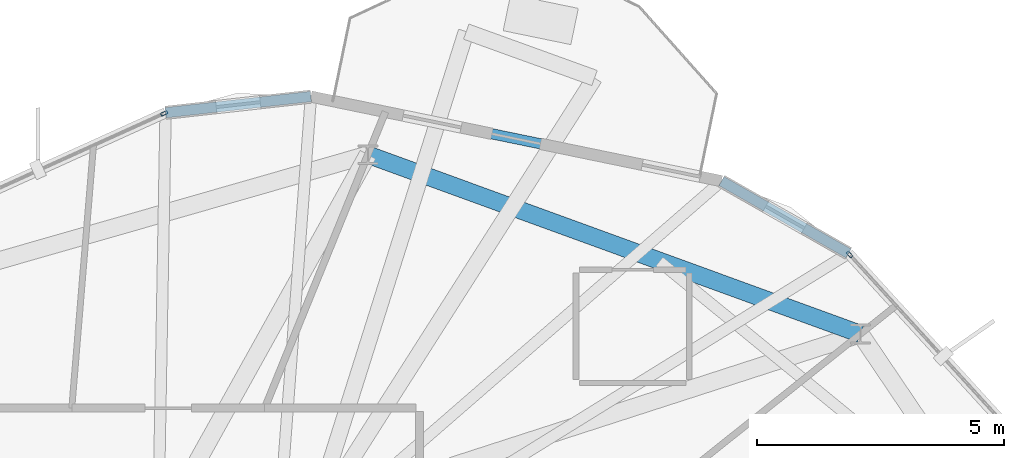
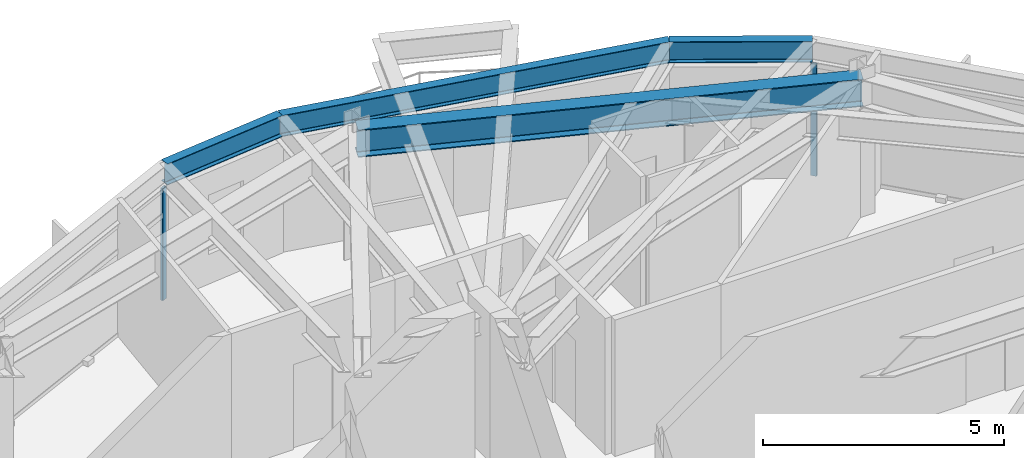
# One storey, part 15 of 23: 4 beams, 2 members, 2 elements without a shape of their own.
"""IFC4 building model written with IfcOpenShell, lengths in metres."""

from ifc_helpers import new_model, si_unit, direction, frame, origin, origin_2d, place, context, subcontext, project, spatial, hollow_rectangle, i_section, extrude, material, layer, layer_set, material_profile, profile_set, type_object, element, aggregate, save


model = new_model("IFC4")

# Units and contexts
model_context = context("Model", 3, precision=1e-05, world=origin(), true_north=direction((0.0, 1.0)))
body_context = subcontext(model_context, "Body", "Model", "MODEL_VIEW")
ifc_project = project(units=[si_unit("LENGTHUNIT", "METRE"), si_unit("AREAUNIT", "SQUARE_METRE"), si_unit("VOLUMEUNIT", "CUBIC_METRE"), si_unit("PLANEANGLEUNIT", "RADIAN"), si_unit("MASSUNIT", "GRAM", prefix="KILO")], contexts=[model_context])

# Site, building, storey
site_placement = place(None, origin())
site = spatial("IfcSite", under=ifc_project, at=site_placement, CompositionType="ELEMENT")
building_placement = place(site_placement, origin())
building = spatial("IfcBuilding", under=site, at=building_placement, Name="Soratama Intermodal Tower", CompositionType="ELEMENT")
storey_placement = place(building_placement, frame((0.0, 0.0, 257.5)))
storey = spatial("IfcBuildingStorey", under=building, at=storey_placement, Name="L65", CompositionType="ELEMENT", Elevation=257.5)

# Beams
ifc_material_1 = material(Name="Structural steel ASTM A992 Grade 50", Category="steel")
ifc_material_profile_1 = material_profile(ifc_material_1, i_section(OverallWidth=0.35498046875, OverallDepth=0.695068359375, WebThickness=0.015380859375, FlangeThickness=0.02490234375, FilletRadius=0.01611328125, at=origin_2d()), Name="W27X146")
ifc_profile_set_1 = profile_set([ifc_material_profile_1], Name="Structural steel ASTM A992 Grade 50")
beam_type_1 = type_object("IfcBeamType", Name="BM-RING-W27X146", PredefinedType="BEAM", material=ifc_profile_set_1)
beam_1_placement = place(storey_placement, frame((55.589111328125, 38.553955078125, 3.1025390625), z_axis=(-0.939684073866, 0.342043624883, 0.0), x_axis=(-0.342043624883, -0.939684073866, 0.0)))
element("IfcBeam", 1, at=beam_1_placement, inside=storey, type_object=beam_type_1, Name="BM-L65-RING-02", PredefinedType="BEAM", context=body_context, shape_type="SweptSolid", body=[
    extrude(i_section(OverallWidth=0.35498046875, OverallDepth=0.695068359375, WebThickness=0.015380859375, FlangeThickness=0.02490234375, FilletRadius=0.01611328125, at=origin_2d()), origin(), (0.0, 0.0, 1.0), 10.630126953125),
])
ifc_material_2 = material(Name="Structural steel ASTM A992 Grade 50", Category="steel")
ifc_material_profile_2 = material_profile(ifc_material_2, i_section(OverallWidth=0.2099609375, OverallDepth=0.537109375, WebThickness=0.010986328125, FlangeThickness=0.017333984375, FilletRadius=0.012939453125, at=origin_2d()), Name="W21X68")
ifc_profile_set_2 = profile_set([ifc_material_profile_2], Name="Structural steel ASTM A992 Grade 50")
beam_type_2 = type_object("IfcBeamType", Name="BM-SPN-W21X68", PredefinedType="SPANDREL", material=ifc_profile_set_2)
beam_2_placement = place(storey_placement, frame((52.77001953125, 41.655029296875, 3.181396484375), z_axis=(-0.979430838522, 0.201780158967, 0.0), x_axis=(-0.201780158967, -0.979430838522, 0.0)))
element("IfcBeam", 2, at=beam_2_placement, inside=storey, type_object=beam_type_2, Name="BS-L65-F01", PredefinedType="SPANDREL", context=body_context, shape_type="SweptSolid", body=[
    extrude(i_section(OverallWidth=0.2099609375, OverallDepth=0.537109375, WebThickness=0.010986328125, FlangeThickness=0.017333984375, FilletRadius=0.012939453125, at=origin_2d()), origin(), (0.0, 0.0, 1.0), 8.499755859375),
])
beam_3_placement = place(storey_placement, frame((44.445068359375, 43.3701171875, 3.181396484375), z_axis=(-0.993826389656, -0.110946416005, 0.0), x_axis=(0.110946416005, -0.993826389656, 0.0)))
element("IfcBeam", 3, at=beam_3_placement, inside=storey, type_object=beam_type_2, Name="BS-L65-CRN01", PredefinedType="SPANDREL", context=body_context, shape_type="SweptSolid", body=[
    extrude(i_section(OverallWidth=0.2099609375, OverallDepth=0.537109375, WebThickness=0.010986328125, FlangeThickness=0.017333984375, FilletRadius=0.012939453125, at=origin_2d()), origin(), (0.0, 0.0, 1.0), 2.96630859375),
])
beam_4_placement = place(storey_placement, frame((55.347900390625, 40.18798828125, 3.181396484375), z_axis=(-0.869118079632, 0.494604653898, 0.0), x_axis=(-0.494604653898, -0.869118079632, 0.0)))
element("IfcBeam", 4, at=beam_4_placement, inside=storey, type_object=beam_type_2, Name="BS-L65-CRN10", PredefinedType="SPANDREL", context=body_context, shape_type="SweptSolid", body=[
    extrude(i_section(OverallWidth=0.2099609375, OverallDepth=0.537109375, WebThickness=0.010986328125, FlangeThickness=0.017333984375, FilletRadius=0.012939453125, at=origin_2d()), origin(), (0.0, 0.0, 1.0), 2.966064453125),
])

# Curtain wall, member
ifc_material_3 = material(Name="Double-glazed aluminium curtain wall", Category="aluminium")
ifc_layer = layer(ifc_material_3, 0.159912109375)
ifc_layer_set = layer_set([ifc_layer], Name="Double-glazed aluminium curtain wall")
curtain_wall_type = type_object("IfcCurtainWallType", Name="CW-SYS-5", PredefinedType="NOTDEFINED", material=ifc_layer_set)
curtain_wall_1_placement = place(storey_placement, origin())
curtain_wall_1 = element("IfcCurtainWall", 5, at=curtain_wall_1_placement, inside=storey, type_object=curtain_wall_type, Name="L65 Faceted Curtain Wall F02", PredefinedType="NOTDEFINED")
ifc_material_4 = material(Name="Anodised aluminium AA 6063-T6", Category="aluminium")
ifc_material_profile_3 = material_profile(ifc_material_4, hollow_rectangle(XDim=0.06494140625, YDim=0.139892578125, WallThickness=0.0048828125, InnerFilletRadius=0.0048828125, OuterFilletRadius=0.010009765625, at=origin_2d()), Name="CWM140X65X5")
ifc_profile_set_3 = profile_set([ifc_material_profile_3], Name="Anodised aluminium AA 6063-T6")
member_type = type_object("IfcMemberType", Name="MT-CWM-5", PredefinedType="MULLION", material=ifc_profile_set_3)
member_1_placement = place(storey_placement, frame((41.469482421875, 43.028564453125, 0.0), z_axis=(0.0, 0.0, 1.0), x_axis=(0.412467579868, -0.910972280346, 0.0)))
member_1 = element("IfcMember", 6, at=member_1_placement, type_object=member_type, Name="CW-5 mullion 1", PredefinedType="MULLION", context=body_context, shape_type="SweptSolid", body=[
    extrude(hollow_rectangle(XDim=0.06494140625, YDim=0.139892578125, WallThickness=0.0048828125, InnerFilletRadius=0.0048828125, OuterFilletRadius=0.010009765625, at=origin_2d()), origin(), (0.0, 0.0, 1.0), 2.8291015625),
])
aggregate(curtain_wall_1, [member_1])

curtain_wall_2_placement = place(storey_placement, origin())
curtain_wall_2 = element("IfcCurtainWall", 7, at=curtain_wall_2_placement, inside=storey, type_object=curtain_wall_type, Name="L65 Faceted Curtain Wall F10", PredefinedType="NOTDEFINED")
member_2_placement = place(storey_placement, frame((55.36865234375, 40.16552734375, 0.0), z_axis=(0.0, 0.0, 1.0), x_axis=(-0.73893310273, -0.673778798783, 0.0)))
member_2 = element("IfcMember", 8, at=member_2_placement, type_object=member_type, Name="CW-5 mullion 2", PredefinedType="MULLION", context=body_context, shape_type="SweptSolid", body=[
    extrude(hollow_rectangle(XDim=0.06494140625, YDim=0.139892578125, WallThickness=0.0048828125, InnerFilletRadius=0.0048828125, OuterFilletRadius=0.010009765625, at=origin_2d()), origin(), (0.0, 0.0, 1.0), 2.8291015625),
])
aggregate(curtain_wall_2, [member_2])

save(model, "model.ifc")
